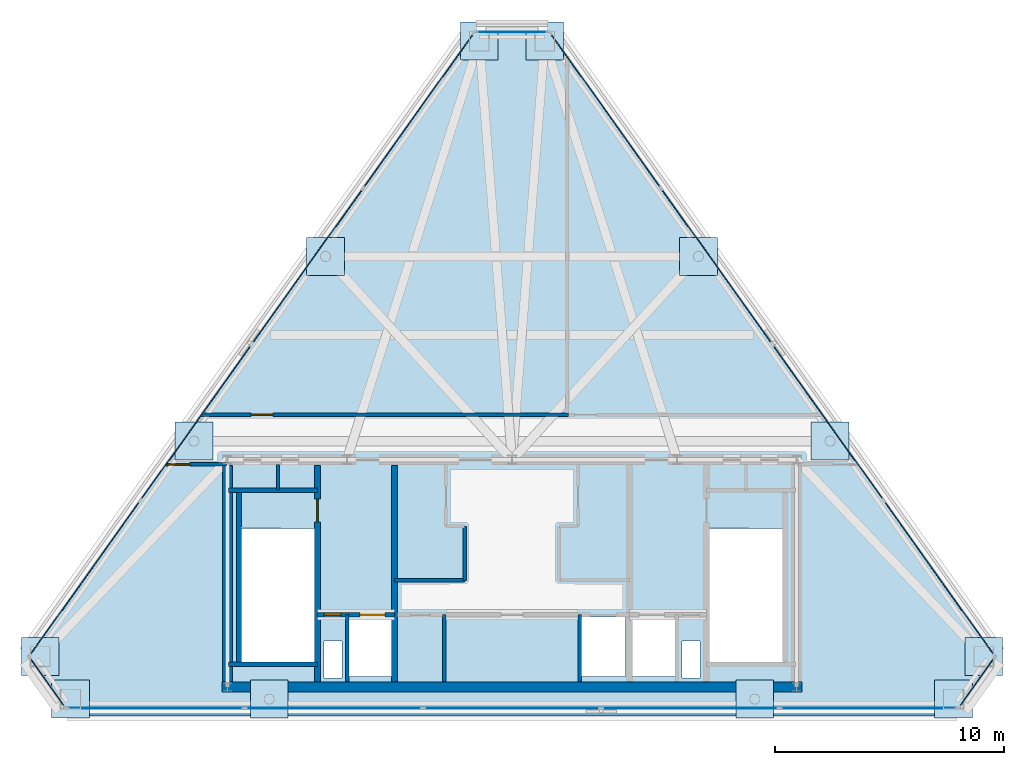
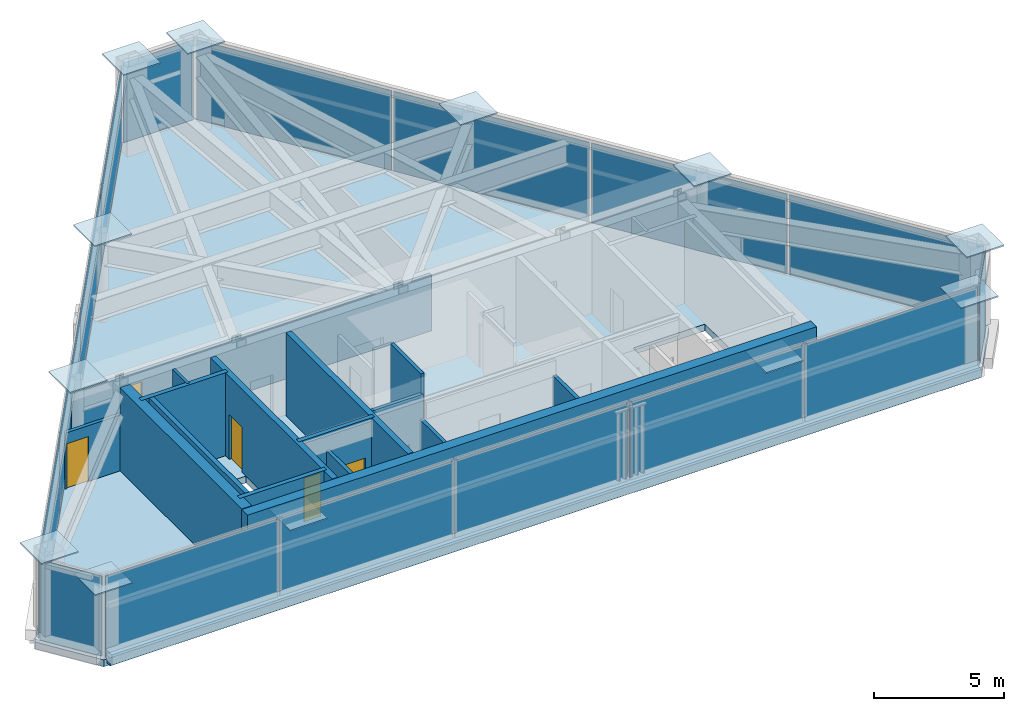
# One storey, part 4 of 7: 28 plates, 17 walls, 5 doors, 1 slab, 5 openings, 6 elements without a shape of their own.
"""IFC4 building model written with IfcOpenShell, lengths in metres."""

from ifc_helpers import new_model, si_unit, direction, frame, frame_2d, origin, origin_2d, place, context, subcontext, project, spatial, polyline, rectangle, outline, extrude, source, transform, mapped, material, layer, layer_set, type_object, type_shapes, element, fill, aggregate, save


model = new_model("IFC4")

# Units and contexts
model_context = context("Model", 3, precision=1e-05, world=origin(), true_north=direction((0.0, 1.0)))
body_context = subcontext(model_context, "Body", "Model", "MODEL_VIEW")
ifc_project = project(units=[si_unit("LENGTHUNIT", "METRE"), si_unit("AREAUNIT", "SQUARE_METRE"), si_unit("VOLUMEUNIT", "CUBIC_METRE"), si_unit("PLANEANGLEUNIT", "RADIAN"), si_unit("MASSUNIT", "GRAM", prefix="KILO")], contexts=[model_context])

# Site, building, storey
site_placement = place(None, origin())
site = spatial("IfcSite", under=ifc_project, at=site_placement, CompositionType="ELEMENT")
building_placement = place(site_placement, origin())
building = spatial("IfcBuilding", under=site, at=building_placement, Name="Talgorran Terracotta Tower", CompositionType="ELEMENT")
storey_placement = place(building_placement, frame((0.0, 0.0, 306.0)))
storey = spatial("IfcBuildingStorey", under=building, at=storey_placement, Name="L80", CompositionType="ELEMENT", Elevation=306.0)

# Plates
ifc_material_1 = material(Name="Steel Grade 350 (350L0)", Category="steel")
ifc_layer_1 = layer(ifc_material_1, 0.06005859375, Name="PL_NODE_MN01")
ifc_layer_set_1 = layer_set([ifc_layer_1], Name="Steel Grade 350 (350L0)")
plate_type_1 = type_object("IfcPlateType", Name="PL_NODE_MN01", PredefinedType="USERDEFINED", material=ifc_layer_set_1)
for number, where, z_axis, x_axis, name in (
    (1, (-20.566650390625, -12.774658203125, 4.18505859375), (0.0, 0.0, 1.0), (1.0, 0.0, 0.0), "L80 Mega-Column Cap Plate MC1"),
    (2, (-19.242919921875, -14.6298828125, 3.38134765625), (0.0, 0.0, 1.0), (1.0, 0.0, 0.0), "L80 Mega-Column Cap Plate MC2"),
    (3, (19.242919921875, -14.6298828125, 3.38134765625), (0.0, 0.0, 1.0), (1.0, 0.0, 0.0), "L80 Mega-Column Cap Plate MC3"),
    (4, (20.566650390625, -12.774658203125, 4.18505859375), (0.0, 0.0, 1.0), (1.0, 0.0, 0.0), "L80 Mega-Column Cap Plate MC4"),
    (5, (1.4267578125, 14.0546875, 4.18505859375), (0.0, 0.0, 1.0), (1.0, 0.0, 0.0), "L80 Mega-Column Cap Plate MC5"),
    (6, (-1.4267578125, 14.0546875, 4.18505859375), (0.0, 0.0, 1.0), (1.0, 0.0, 0.0), "L80 Mega-Column Cap Plate MC6"),
    (7, (-10.58349609375, -14.6298828125, 3.38134765625), (0.0, 0.0, 1.0), (1.0, 0.0, 0.0), "L80 Facet Column Cap Plate FC1"),
    (8, (10.58349609375, -14.6298828125, 3.38134765625), (0.0, 0.0, 1.0), (1.0, 0.0, 0.0), "L80 Facet Column Cap Plate FC2"),
    (9, (13.86767578125, -3.384521484375, 4.18505859375), (0.0, 0.0, 1.0), (1.0, 0.0, 0.0), "L80 Facet Column Cap Plate FC3"),
    (10, (8.125732421875, 4.664306640625, 4.18505859375), (0.0, 0.0, 1.0), (1.0, 0.0, 0.0), "L80 Facet Column Cap Plate FC4"),
    (11, (-8.125732421875, 4.664306640625, 4.18505859375), (0.0, 0.0, 1.0), (1.0, 0.0, 0.0), "L80 Facet Column Cap Plate FC5"),
    (12, (-13.86767578125, -3.384521484375, 4.18505859375), (0.0, 0.0, 1.0), (1.0, 0.0, 0.0), "L80 Facet Column Cap Plate FC6"),
):
    element("IfcPlate", number, at=place(storey_placement, frame(where, z_axis=z_axis, x_axis=x_axis)), inside=storey, type_object=plate_type_1, Name=name, ObjectType="NODE PLATE", PredefinedType="USERDEFINED", context=body_context, shape_type="SweptSolid", body=[
        extrude(rectangle(XDim=1.64990234375, YDim=1.64990234375, at=origin_2d()), origin(), (0.0, 0.0, 1.0), 0.06005859375),
    ])

# Slab
ifc_material_2 = material(Name="Concrete C50/60", Category="concrete")
ifc_layer_2 = layer(ifc_material_2, 0.320068359375, Name="SL_PLANT_320")
ifc_layer_set_2 = layer_set([ifc_layer_2], Name="Concrete C50/60")
slab_type = type_object("IfcSlabType", Name="SL_PLANT_320", PredefinedType="FLOOR", material=ifc_layer_set_2)
slab_placement = place(storey_placement, frame((0.0, 0.0, -0.320068359375)))
element("IfcSlab", 13, at=slab_placement, inside=storey, type_object=slab_type, Name="Storey L80 Structural Floor Slab", PredefinedType="FLOOR", context=body_context, shape_type="SweptSolid", body=[
    extrude(outline(polyline([(-21.205322265625, -12.774658203125), (-19.5107421875, -15.14990234375), (19.5107421875, -15.14990234375), (21.205322265625, -12.774658203125), (1.694580078125, 14.57470703125), (-1.694580078125, 14.57470703125), (-21.205322265625, -12.774658203125)]), holes=[polyline([(-11.800048828125, -7.199951171875), (-11.800048828125, -13.0), (-8.60009765625, -13.0), (-8.60009765625, -7.199951171875), (-11.800048828125, -7.199951171875)]), polyline([(8.60009765625, -7.199951171875), (8.60009765625, -13.0), (11.800048828125, -13.0), (11.800048828125, -7.199951171875), (8.60009765625, -7.199951171875)]), polyline([(-7.10009765625, -13.64990234375), (-5.199951171875, -13.64990234375), (-5.199951171875, -11.050048828125), (-7.10009765625, -11.050048828125), (-7.10009765625, -13.64990234375)]), polyline([(5.199951171875, -13.64990234375), (7.10009765625, -13.64990234375), (7.10009765625, -11.050048828125), (5.199951171875, -11.050048828125), (5.199951171875, -13.64990234375)]), polyline([(3.0, -13.64990234375), (4.949951171875, -13.64990234375), (4.949951171875, -11.050048828125), (3.0, -11.050048828125), (3.0, -13.64990234375)]), polyline([(-8.199951171875, -13.699951171875), (-7.39990234375, -13.699951171875), (-7.39990234375, -12.10009765625), (-8.199951171875, -12.10009765625), (-8.199951171875, -13.699951171875)]), polyline([(7.39990234375, -13.699951171875), (8.199951171875, -13.699951171875), (8.199951171875, -12.10009765625), (7.39990234375, -12.10009765625), (7.39990234375, -13.699951171875)])]), origin(), (0.0, 0.0, 1.0), 0.320068359375),
])

# Curtain wall, plate
ifc_material_3 = material(Name="Faceted Crown Terracotta Glass", Category="masonry")
ifc_layer_3 = layer(ifc_material_3, 0.22998046875, Name="CW_SYS6_CROWN")
ifc_layer_set_3 = layer_set([ifc_layer_3], Name="Faceted Crown Terracotta Glass")
curtain_wall_type = type_object("IfcCurtainWallType", Name="CW_SYS6_CROWN", PredefinedType="NOTDEFINED", material=ifc_layer_set_3)
curtain_wall_1_placement = place(storey_placement, origin())
curtain_wall_1 = element("IfcCurtainWall", 14, at=curtain_wall_1_placement, inside=storey, type_object=curtain_wall_type, Name="CW-L80-F0", PredefinedType="NOTDEFINED")
ifc_material_4 = material(Name="Low-Iron Structural Vision Glass", Category="glass")
ifc_layer_4 = layer(ifc_material_4, 0.035888671875, Name="PLT_LOWIRON_36")
ifc_layer_set_4 = layer_set([ifc_layer_4], Name="Low-Iron Structural Vision Glass")
plate_type_2 = type_object("IfcPlateType", Name="PLT_LOWIRON_36", PredefinedType="CURTAIN_PANEL", material=ifc_layer_set_4)
shared_shape_1 = source(origin(), body_context, "Body", "SweptSolid", [
    extrude(rectangle(XDim=2.610595703125, YDim=0.035888671875, at=origin_2d()), origin(), (0.0, 0.0, 1.0), 3.739990234375),
])
plate_1_placement = place(storey_placement, frame((-20.25341796875, -13.90234375, 0.080078125), z_axis=(0.0, 0.0, 1.0), x_axis=(0.580760085543, -0.814074765018, 0.0)))
plate_1 = element("IfcPlate", 15, at=plate_1_placement, type_object=plate_type_2, Name="CW-L80-0 panel 1.1", PredefinedType="CURTAIN_PANEL", context=body_context, shape_type="MappedRepresentation", body=[
    mapped(shared_shape_1, transform((0.0, 0.0, 0.0), scale=1.0)),
])
aggregate(curtain_wall_1, [plate_1])

curtain_wall_2_placement = place(storey_placement, origin())
curtain_wall_2 = element("IfcCurtainWall", 16, at=curtain_wall_2_placement, inside=storey, type_object=curtain_wall_type, Name="CW-L80-F2", PredefinedType="NOTDEFINED")
plate_2_placement = place(storey_placement, frame((20.25341796875, -13.90234375, 0.080078125), z_axis=(0.0, 0.0, 1.0), x_axis=(0.580760085543, 0.814074765018, 0.0)))
plate_2 = element("IfcPlate", 17, at=plate_2_placement, type_object=plate_type_2, Name="CW-L80-2 panel 1.1", PredefinedType="CURTAIN_PANEL", context=body_context, shape_type="MappedRepresentation", body=[
    mapped(shared_shape_1, transform((0.0, 0.0, 0.0), scale=1.0)),
])
aggregate(curtain_wall_2, [plate_2])

# Curtain wall, plates
curtain_wall_3_placement = place(storey_placement, origin())
curtain_wall_3 = element("IfcCurtainWall", 18, at=curtain_wall_3_placement, inside=storey, type_object=curtain_wall_type, Name="CW-L80-F1", PredefinedType="NOTDEFINED")
shared_shape_2 = source(origin(), body_context, "Body", "SweptSolid", [
    extrude(rectangle(XDim=7.65966796875, YDim=0.035888671875, at=origin_2d()), origin(), (0.0, 0.0, 1.0), 3.739990234375),
])
plate_3_placement = place(storey_placement, frame((-15.539306640625, -15.030029296875, 0.080078125), z_axis=(0.0, 0.0, 1.0), x_axis=(1.0, 0.0, 0.0)))
plate_3 = element("IfcPlate", 19, at=plate_3_placement, type_object=plate_type_2, Name="CW-L80-1 panel 1.1", PredefinedType="CURTAIN_PANEL", context=body_context, shape_type="MappedRepresentation", body=[
    mapped(shared_shape_2, transform((0.0, 0.0, 0.0), scale=1.0)),
])
plate_4_placement = place(storey_placement, frame((15.539306640625, -15.030029296875, 0.080078125), z_axis=(0.0, 0.0, 1.0), x_axis=(1.0, 0.0, 0.0)))
plate_4 = element("IfcPlate", 20, at=plate_4_placement, type_object=plate_type_2, Name="CW-L80-1 panel 5.1", PredefinedType="CURTAIN_PANEL", context=body_context, shape_type="MappedRepresentation", body=[
    mapped(shared_shape_2, transform((0.0, 0.0, 0.0), scale=1.0)),
])
shared_shape_3 = source(origin(), body_context, "Body", "SweptSolid", [
    extrude(rectangle(XDim=7.69970703125, YDim=0.035888671875, at=origin_2d()), origin(), (0.0, 0.0, 1.0), 3.739990234375),
])
plate_5_placement = place(storey_placement, frame((-7.779541015625, -15.030029296875, 0.080078125), z_axis=(0.0, 0.0, 1.0), x_axis=(1.0, 0.0, 0.0)))
plate_5 = element("IfcPlate", 21, at=plate_5_placement, type_object=plate_type_2, Name="CW-L80-1 panel 2.1", PredefinedType="CURTAIN_PANEL", context=body_context, shape_type="MappedRepresentation", body=[
    mapped(shared_shape_3, transform((0.0, 0.0, 0.0), scale=1.0)),
])
plate_6_placement = place(storey_placement, frame((0.0, -15.030029296875, 0.080078125), z_axis=(0.0, 0.0, 1.0), x_axis=(1.0, 0.0, 0.0)))
plate_6 = element("IfcPlate", 22, at=plate_6_placement, type_object=plate_type_2, Name="CW-L80-1 panel 3.1", PredefinedType="CURTAIN_PANEL", context=body_context, shape_type="MappedRepresentation", body=[
    mapped(shared_shape_3, transform((0.0, 0.0, 0.0), scale=1.0)),
])
plate_7_placement = place(storey_placement, frame((7.779541015625, -15.030029296875, 0.080078125), z_axis=(0.0, 0.0, 1.0), x_axis=(1.0, 0.0, 0.0)))
plate_7 = element("IfcPlate", 23, at=plate_7_placement, type_object=plate_type_2, Name="CW-L80-1 panel 4.1", PredefinedType="CURTAIN_PANEL", context=body_context, shape_type="MappedRepresentation", body=[
    mapped(shared_shape_3, transform((0.0, 0.0, 0.0), scale=1.0)),
])
aggregate(curtain_wall_3, [plate_3, plate_5, plate_6, plate_7, plate_4])

curtain_wall_4_placement = place(storey_placement, origin())
curtain_wall_4 = element("IfcCurtainWall", 24, at=curtain_wall_4_placement, inside=storey, type_object=curtain_wall_type, Name="CW-L80-F3", PredefinedType="NOTDEFINED")
shared_shape_4 = source(origin(), body_context, "Body", "SweptSolid", [
    extrude(rectangle(XDim=8.241943359375, YDim=0.035888671875, at=origin_2d()), origin(), (0.0, 0.0, 1.0), 3.739990234375),
])
plate_8_placement = place(storey_placement, frame((18.6181640625, -9.354736328125, 0.080078125), z_axis=(0.0, 0.0, 1.0), x_axis=(-0.580758445224, 0.814075935218, 0.0)))
plate_8 = element("IfcPlate", 25, at=plate_8_placement, type_object=plate_type_2, Name="CW-L80-3 panel 1.1", PredefinedType="CURTAIN_PANEL", context=body_context, shape_type="MappedRepresentation", body=[
    mapped(shared_shape_4, transform((0.0, 0.0, 0.0), scale=1.0)),
])
plate_9_placement = place(storey_placement, frame((4.072509765625, 11.03466796875, 0.080078125), z_axis=(0.0, 0.0, 1.0), x_axis=(-0.580758445224, 0.814075935218, 0.0)))
plate_9 = element("IfcPlate", 26, at=plate_9_placement, type_object=plate_type_2, Name="CW-L80-3 panel 4.1", PredefinedType="CURTAIN_PANEL", context=body_context, shape_type="MappedRepresentation", body=[
    mapped(shared_shape_4, transform((0.0, 0.0, 0.0), scale=1.0)),
])

curtain_wall_5_placement = place(storey_placement, origin())
curtain_wall_5 = element("IfcCurtainWall", 27, at=curtain_wall_5_placement, inside=storey, type_object=curtain_wall_type, Name="CW-L80-F5", PredefinedType="NOTDEFINED")
plate_10_placement = place(storey_placement, frame((-4.072509765625, 11.03466796875, 0.080078125), z_axis=(0.0, 0.0, 1.0), x_axis=(-0.580758445224, -0.814075935218, 0.0)))
plate_10 = element("IfcPlate", 28, at=plate_10_placement, type_object=plate_type_2, Name="CW-L80-5 panel 1.1", PredefinedType="CURTAIN_PANEL", context=body_context, shape_type="MappedRepresentation", body=[
    mapped(shared_shape_4, transform((0.0, 0.0, 0.0), scale=1.0)),
])
plate_11_placement = place(storey_placement, frame((-18.6181640625, -9.354736328125, 0.080078125), z_axis=(0.0, 0.0, 1.0), x_axis=(-0.580758445224, -0.814075935218, 0.0)))
plate_11 = element("IfcPlate", 29, at=plate_11_placement, type_object=plate_type_2, Name="CW-L80-5 panel 4.1", PredefinedType="CURTAIN_PANEL", context=body_context, shape_type="MappedRepresentation", body=[
    mapped(shared_shape_4, transform((0.0, 0.0, 0.0), scale=1.0)),
])

# Plate
shared_shape_5 = source(origin(), body_context, "Body", "SweptSolid", [
    extrude(rectangle(XDim=8.281982421875, YDim=0.035888671875, at=origin_2d()), origin(), (0.0, 0.0, 1.0), 3.739990234375),
])
plate_12_placement = place(storey_placement, frame((13.7734375, -2.563720703125, 0.080078125), z_axis=(0.0, 0.0, 1.0), x_axis=(-0.580758445224, 0.814075935218, 0.0)))
plate_12 = element("IfcPlate", 30, at=plate_12_placement, type_object=plate_type_2, Name="CW-L80-3 panel 2.1", PredefinedType="CURTAIN_PANEL", context=body_context, shape_type="MappedRepresentation", body=[
    mapped(shared_shape_5, transform((0.0, 0.0, 0.0), scale=1.0)),
])

plate_13_placement = place(storey_placement, frame((8.917236328125, 4.24365234375, 0.080078125), z_axis=(0.0, 0.0, 1.0), x_axis=(-0.580758445224, 0.814075935218, 0.0)))
plate_13 = element("IfcPlate", 31, at=plate_13_placement, type_object=plate_type_2, Name="CW-L80-3 panel 3.1", PredefinedType="CURTAIN_PANEL", context=body_context, shape_type="MappedRepresentation", body=[
    mapped(shared_shape_5, transform((0.0, 0.0, 0.0), scale=1.0)),
])

aggregate(curtain_wall_4, [plate_8, plate_12, plate_13, plate_9])

plate_14_placement = place(storey_placement, frame((-8.917236328125, 4.24365234375, 0.080078125), z_axis=(0.0, 0.0, 1.0), x_axis=(-0.580758445224, -0.814075935218, 0.0)))
plate_14 = element("IfcPlate", 32, at=plate_14_placement, type_object=plate_type_2, Name="CW-L80-5 panel 2.1", PredefinedType="CURTAIN_PANEL", context=body_context, shape_type="MappedRepresentation", body=[
    mapped(shared_shape_5, transform((0.0, 0.0, 0.0), scale=1.0)),
])

plate_15_placement = place(storey_placement, frame((-13.7734375, -2.563720703125, 0.080078125), z_axis=(0.0, 0.0, 1.0), x_axis=(-0.580758445224, -0.814075935218, 0.0)))
plate_15 = element("IfcPlate", 33, at=plate_15_placement, type_object=plate_type_2, Name="CW-L80-5 panel 3.1", PredefinedType="CURTAIN_PANEL", context=body_context, shape_type="MappedRepresentation", body=[
    mapped(shared_shape_5, transform((0.0, 0.0, 0.0), scale=1.0)),
])

aggregate(curtain_wall_5, [plate_10, plate_14, plate_15, plate_11])

# Curtain wall, plate
curtain_wall_6_placement = place(storey_placement, origin())
curtain_wall_6 = element("IfcCurtainWall", 34, at=curtain_wall_6_placement, inside=storey, type_object=curtain_wall_type, Name="CW-L80-F4", PredefinedType="NOTDEFINED")
shared_shape_6 = source(origin(), body_context, "Body", "SweptSolid", [
    extrude(rectangle(XDim=3.105712890625, YDim=0.035888671875, at=origin_2d()), origin(), (0.0, 0.0, 1.0), 3.739990234375),
])
type_shapes(plate_type_2, [shared_shape_1, shared_shape_2, shared_shape_3, shared_shape_4, shared_shape_5, shared_shape_6])
plate_16_placement = place(storey_placement, frame((0.0, 14.45458984375, 0.080078125), z_axis=(0.0, 0.0, 1.0), x_axis=(-1.0, 0.0, 0.0)))
plate_16 = element("IfcPlate", 35, at=plate_16_placement, type_object=plate_type_2, Name="CW-L80-4 panel 1.1", PredefinedType="CURTAIN_PANEL", context=body_context, shape_type="MappedRepresentation", body=[
    mapped(shared_shape_6, transform((0.0, 0.0, 0.0), scale=1.0)),
])
aggregate(curtain_wall_6, [plate_16])

# Walls
ifc_layer_5 = layer(ifc_material_2, 0.199951171875, Name="WT_CORE_200")
ifc_layer_set_5 = layer_set([ifc_layer_5], Name="Concrete C50/60")
wall_type_1 = type_object("IfcWallType", Name="WT_CORE_200", PredefinedType="SOLIDWALL", material=ifc_layer_set_5)
for number, where, z_axis, x_axis, name in (
    (36, (-12.35009765625, -5.52001953125, 0.0), (0.0, 0.0, 1.0), (1.0, 0.0, 0.0), "WL-L80-CW-ST1-N"),
    (37, (-12.35009765625, -13.10009765625, 0.0), (0.0, 0.0, 1.0), (1.0, 0.0, 0.0), "WL-L80-CW-ST1-S"),
):
    element("IfcWall", number, at=place(storey_placement, frame(where, z_axis=z_axis, x_axis=x_axis)), inside=storey, type_object=wall_type_1, Name=name, PredefinedType="SOLIDWALL", context=body_context, shape_type="SweptSolid", body=[
        extrude(rectangle(XDim=3.8701171875, YDim=0.199951171875, at=frame_2d((1.93505859375, 0.0))), origin(), (0.0, 0.0, 1.0), 3.89990234375),
    ])
wall_1_placement = place(storey_placement, frame((-11.89990234375, -13.10009765625, 0.0), z_axis=(0.0, 0.0, 1.0), x_axis=(0.0, 1.0, 0.0)))
element("IfcWall", 38, at=wall_1_placement, inside=storey, type_object=wall_type_1, Name="WL-L80-CW-ST1-W", PredefinedType="SOLIDWALL", context=body_context, shape_type="SweptSolid", body=[
    extrude(rectangle(XDim=7.580078125, YDim=0.199951171875, at=frame_2d((3.7900390625, 0.0))), origin(), (0.0, 0.0, 1.0), 3.89990234375),
])

# Wall, openings, doors
wall_2_placement = place(storey_placement, frame((-8.47998046875, -10.949951171875, 0.0), z_axis=(0.0, 0.0, 1.0), x_axis=(1.0, 0.0, 0.0)))
wall_2 = element("IfcWall", 39, at=wall_2_placement, inside=storey, type_object=wall_type_1, Name="WL-L80-CW-H-SBW", PredefinedType="SOLIDWALL", context=body_context, shape_type="SweptSolid", body=[
    extrude(rectangle(XDim=3.35986328125, YDim=0.199951171875, at=frame_2d((1.679931640625, 0.0))), origin(), (0.0, 0.0, 1.0), 3.89990234375),
])
opening_1_placement = place(wall_2_placement, frame((0.280029296875, 0.0, 0.0)))
opening_1 = element("IfcOpeningElement", 40, at=opening_1_placement, cuts=wall_2, Name="Opening DR-RSW", PredefinedType="OPENING", context=body_context, shape_type="SweptSolid", body=[
    extrude(rectangle(XDim=0.756, YDim=2.054048828125, at=frame_2d((0.375, 1.027099609375))), frame((0.0, 0.10986328125, 0.0), z_axis=(0.0, -1.0, 0.0), x_axis=(1.0, 0.0, 0.0)), (0.0, 0.0, 1.0), 0.219970703125),
])
opening_2_placement = place(wall_2_placement, frame((1.85009765625, 0.0, 0.0)))
opening_2 = element("IfcOpeningElement", 41, at=opening_2_placement, cuts=wall_2, Name="Opening LD-FFL1", PredefinedType="OPENING", context=body_context, shape_type="SweptSolid", body=[
    extrude(rectangle(XDim=1.10609765625, YDim=2.10409765625, at=frame_2d((0.550048828125, 1.052001953125))), frame((0.0, 0.10986328125, 0.0), z_axis=(0.0, -1.0, 0.0), x_axis=(1.0, 0.0, 0.0)), (0.0, 0.0, 1.0), 0.219970703125),
])
ifc_material_5 = material(Name="Brushed Stainless Steel Grade 304", Category="steel")
door_type_1 = type_object("IfcDoorType", Name="DT_LIFT_LD1100", OperationType="DOUBLE_DOOR_SLIDING", PredefinedType="DOOR", material=ifc_material_5)
door_1_placement = place(opening_2_placement, origin())
door_1 = element("IfcDoor", 42, at=door_1_placement, inside=storey, type_object=door_type_1, Name="L80 Lift Landing Door LD-FFL1", OperationType="DOUBLE_DOOR_SLIDING", OverallHeight=2.10009765625, OverallWidth=1.10009765625, PredefinedType="DOOR", context=body_context, shape_type="SweptSolid", body=[
    extrude(rectangle(XDim=1.10009765625, YDim=2.10009765625, at=frame_2d((0.550048828125, 1.050048828125))), frame((0.0, 0.02490234375, 0.0), z_axis=(0.0, -1.0, 0.0), x_axis=(1.0, 0.0, 0.0)), (0.0, 0.0, 1.0), 0.050048828125),
])
fill(opening_2, door_1)
ifc_material_6 = material(Name="Fire-Rated Pressed Steel", Category="steel")
door_type_2 = type_object("IfcDoorType", Name="DT_RISER_750", OperationType="NOTDEFINED", PredefinedType="DOOR", material=ifc_material_6)
door_2_placement = place(opening_1_placement, origin())
door_2 = element("IfcDoor", 43, at=door_2_placement, inside=storey, type_object=door_type_2, Name="DR-RSW", OperationType="SINGLE_SWING_LEFT", OverallHeight=2.050048828125, OverallWidth=0.75, PredefinedType="DOOR", context=body_context, shape_type="SweptSolid", body=[
    extrude(rectangle(XDim=0.75, YDim=2.050048828125, at=frame_2d((0.375, 1.02490234375))), frame((0.0, 0.02490234375, 0.0), z_axis=(0.0, -1.0, 0.0), x_axis=(1.0, 0.0, 0.0)), (0.0, 0.0, 1.0), 0.050048828125),
])
fill(opening_1, door_2)

# Wall, opening, door
ifc_layer_6 = layer(ifc_material_2, 0.25, Name="WT_CORE_250")
ifc_layer_set_6 = layer_set([ifc_layer_6], Name="Concrete C50/60")
wall_type_2 = type_object("IfcWallType", Name="WT_CORE_250", PredefinedType="SHEAR", material=ifc_layer_set_6)
wall_3_placement = place(storey_placement, frame((-8.47998046875, -13.85009765625, 0.0), z_axis=(0.0, 0.0, 1.0), x_axis=(0.0, 1.0, 0.0)))
wall_3 = element("IfcWall", 44, at=wall_3_placement, inside=storey, type_object=wall_type_2, Name="WL-L80-CW-V-W1", PredefinedType="SHEAR", context=body_context, shape_type="SweptSolid", body=[
    extrude(rectangle(XDim=9.400146484375, YDim=0.25, at=frame_2d((4.7001953125, 0.0))), origin(), (0.0, 0.0, 1.0), 3.89990234375),
])
opening_3_placement = place(wall_3_placement, frame((6.949951171875, 0.0, 0.0)))
opening_3 = element("IfcOpeningElement", 45, at=opening_3_placement, cuts=wall_3, Name="Opening DR-ST01", PredefinedType="OPENING", context=body_context, shape_type="SweptSolid", body=[
    extrude(rectangle(XDim=1.006, YDim=2.10409765625, at=frame_2d((0.5, 1.052001953125))), frame((0.0, 0.135009765625, 0.0), z_axis=(0.0, -1.0, 0.0), x_axis=(1.0, 0.0, 0.0)), (0.0, 0.0, 1.0), 0.27001953125),
])
door_type_3 = type_object("IfcDoorType", Name="DT_FIRE_1000", OperationType="NOTDEFINED", PredefinedType="DOOR", material=ifc_material_6)
door_3_placement = place(opening_3_placement, origin())
door_3 = element("IfcDoor", 46, at=door_3_placement, inside=storey, type_object=door_type_3, Name="DR-ST01", OperationType="SINGLE_SWING_LEFT", OverallHeight=2.10009765625, OverallWidth=1.0, PredefinedType="DOOR", context=body_context, shape_type="SweptSolid", body=[
    extrude(rectangle(XDim=1.0, YDim=2.10009765625, at=frame_2d((0.5, 1.050048828125))), frame((0.0, 0.02490234375, 0.0), z_axis=(0.0, -1.0, 0.0), x_axis=(1.0, 0.0, 0.0)), (0.0, 0.0, 1.0), 0.050048828125),
])
fill(opening_3, door_3)

# Walls
wall_4_placement = place(storey_placement, frame((-5.1201171875, -13.85009765625, 0.0), z_axis=(0.0, 0.0, 1.0), x_axis=(0.0, 1.0, 0.0)))
element("IfcWall", 47, at=wall_4_placement, inside=storey, type_object=wall_type_2, Name="WL-L80-CW-V-W2", PredefinedType="SHEAR", context=body_context, shape_type="SweptSolid", body=[
    extrude(rectangle(XDim=9.400146484375, YDim=0.25, at=frame_2d((4.7001953125, 0.0))), origin(), (0.0, 0.0, 1.0), 3.89990234375),
])
ifc_material_7 = material(Name="Concrete C65/80", Category="concrete")
ifc_layer_7 = layer(ifc_material_7, 0.449951171875, Name="WT_CORE_EXT")
ifc_layer_set_7 = layer_set([ifc_layer_7], Name="Concrete C65/80")
wall_type_3 = type_object("IfcWallType", Name="WT_CORE_EXT", PredefinedType="SHEAR", material=ifc_layer_set_7)
wall_5_placement = place(storey_placement, frame((-12.64990234375, -14.10009765625, 0.0), z_axis=(0.0, 0.0, 1.0), x_axis=(1.0, 0.0, 0.0)))
element("IfcWall", 48, at=wall_5_placement, inside=storey, type_object=wall_type_3, Name="WL-L80-CW-OUT-S", PredefinedType="SHEAR", context=body_context, shape_type="SweptSolid", body=[
    extrude(rectangle(XDim=25.2998046875, YDim=0.449951171875, at=frame_2d((12.64990234375, 0.0))), origin(), (0.0, 0.0, 1.0), 3.89990234375),
])
wall_6_placement = place(storey_placement, frame((-12.39990234375, -13.85009765625, 0.0), z_axis=(0.0, 0.0, 1.0), x_axis=(0.0, 1.0, 0.0)))
element("IfcWall", 49, at=wall_6_placement, inside=storey, type_object=wall_type_3, Name="WL-L80-CW-OUT-W", PredefinedType="SHEAR", context=body_context, shape_type="SweptSolid", body=[
    extrude(rectangle(XDim=9.400146484375, YDim=0.449951171875, at=frame_2d((4.7001953125, 0.0))), origin(), (0.0, 0.0, 1.0), 3.89990234375),
])
ifc_material_8 = material(Name="Fire-Rated Steel Stud Plasterboard", Category="steel")
ifc_layer_8 = layer(ifc_material_8, 0.14990234375, Name="WT_FIRE_150")
ifc_layer_set_8 = layer_set([ifc_layer_8], Name="Fire-Rated Steel Stud Plasterboard")
wall_type_4 = type_object("IfcWallType", Name="WT_FIRE_150", PredefinedType="PARTITIONING", material=ifc_layer_set_8)
wall_7_placement = place(storey_placement, frame((-5.1201171875, -9.449951171875, 0.0), z_axis=(0.0, 0.0, 1.0), x_axis=(1.0, 0.0, 0.0)))
element("IfcWall", 50, at=wall_7_placement, inside=storey, type_object=wall_type_4, Name="WL-L80-CW-H-W4N", PredefinedType="PARTITIONING", context=body_context, shape_type="SweptSolid", body=[
    extrude(rectangle(XDim=3.06005859375, YDim=0.14990234375, at=frame_2d((1.530029296875, 0.0))), origin(), (0.0, 0.0, 1.0), 2.9765625),
])
wall_8_placement = place(storey_placement, frame((-2.06005859375, -9.449951171875, 0.0), z_axis=(0.0, 0.0, 1.0), x_axis=(0.0, 1.0, 0.0)))
element("IfcWall", 51, at=wall_8_placement, inside=storey, type_object=wall_type_4, Name="WL-L80-CW-V-W3S2", PredefinedType="PARTITIONING", context=body_context, shape_type="SweptSolid", body=[
    extrude(rectangle(XDim=2.349853515625, YDim=0.14990234375, at=frame_2d((1.1748046875, 0.0))), origin(), (0.0, 0.0, 1.0), 3.89990234375),
])

# Wall, opening, door
wall_9_placement = place(storey_placement, frame((-13.542724609375, -2.239990234375, 0.0), z_axis=(0.0, 0.0, 1.0), x_axis=(1.0, 0.0, 0.0)))
wall_9 = element("IfcWall", 52, at=wall_9_placement, inside=storey, type_object=wall_type_4, Name="WL-L80-W-L80-R03", PredefinedType="PARTITIONING", context=body_context, shape_type="SweptSolid", body=[
    extrude(rectangle(XDim=16.002685546875, YDim=0.14990234375, at=frame_2d((8.00146484375, 0.0))), origin(), (0.0, 0.0, 1.0), 2.625),
])
opening_4_placement = place(wall_9_placement, frame((2.178955078125, 0.0, 0.0)))
opening_4 = element("IfcOpeningElement", 53, at=opening_4_placement, cuts=wall_9, Name="Opening DR-L80-R03", PredefinedType="OPENING", context=body_context, shape_type="SweptSolid", body=[
    extrude(rectangle(XDim=0.955951171875, YDim=2.10409765625, at=frame_2d((0.47509765625, 1.052001953125))), frame((0.0, 0.0849609375, 0.0), z_axis=(0.0, -1.0, 0.0), x_axis=(1.0, 0.0, 0.0)), (0.0, 0.0, 1.0), 0.169921875),
])
ifc_material_9 = material(Name="Fire-Rated Timber Core", Category="wood")
door_type_4 = type_object("IfcDoorType", Name="DT_FIRE_950", OperationType="NOTDEFINED", PredefinedType="DOOR", material=ifc_material_9)
door_4_placement = place(opening_4_placement, origin())
door_4 = element("IfcDoor", 54, at=door_4_placement, inside=storey, type_object=door_type_4, Name="DR-L80-R03", OperationType="SINGLE_SWING_LEFT", OverallHeight=2.10009765625, OverallWidth=0.949951171875, PredefinedType="DOOR", context=body_context, shape_type="SweptSolid", body=[
    extrude(rectangle(XDim=0.949951171875, YDim=2.10009765625, at=frame_2d((0.47509765625, 1.050048828125))), frame((0.0, 0.02490234375, 0.0), z_axis=(0.0, -1.0, 0.0), x_axis=(1.0, 0.0, 0.0)), (0.0, 0.0, 1.0), 0.050048828125),
])
fill(opening_4, door_4)

wall_10_placement = place(storey_placement, frame((-15.08349609375, -4.39990234375, 0.0), z_axis=(0.0, 0.0, 1.0), x_axis=(1.0, 0.0, 0.0)))
wall_10 = element("IfcWall", 55, at=wall_10_placement, inside=storey, type_object=wall_type_4, Name="WL-L80-W-L80-R01", PredefinedType="PARTITIONING", context=body_context, shape_type="SweptSolid", body=[
    extrude(rectangle(XDim=2.6435546875, YDim=0.14990234375, at=frame_2d((1.32177734375, 0.0))), origin(), (0.0, 0.0, 1.0), 2.625),
])
opening_5_placement = place(wall_10_placement, frame((0.10009765625, 0.0, 0.0)))
opening_5 = element("IfcOpeningElement", 56, at=opening_5_placement, cuts=wall_10, Name="Opening DR-L80-R01", PredefinedType="OPENING", context=body_context, shape_type="SweptSolid", body=[
    extrude(rectangle(XDim=0.955951171875, YDim=2.10409765625, at=frame_2d((0.47509765625, 1.052001953125))), frame((0.0, 0.0849609375, 0.0), z_axis=(0.0, -1.0, 0.0), x_axis=(1.0, 0.0, 0.0)), (0.0, 0.0, 1.0), 0.169921875),
])
door_5_placement = place(opening_5_placement, origin())
door_5 = element("IfcDoor", 57, at=door_5_placement, inside=storey, type_object=door_type_4, Name="DR-L80-R01", OperationType="SINGLE_SWING_LEFT", OverallHeight=2.10009765625, OverallWidth=0.949951171875, PredefinedType="DOOR", context=body_context, shape_type="SweptSolid", body=[
    extrude(rectangle(XDim=0.949951171875, YDim=2.10009765625, at=frame_2d((0.47509765625, 1.050048828125))), frame((0.0, 0.02490234375, 0.0), z_axis=(0.0, -1.0, 0.0), x_axis=(1.0, 0.0, 0.0)), (0.0, 0.0, 1.0), 0.050048828125),
])
fill(opening_5, door_5)

# Walls
ifc_material_10 = material(Name="Concrete C40/50", Category="concrete")
ifc_layer_9 = layer(ifc_material_10, 0.219970703125, Name="WT_PARAPET_RC")
ifc_layer_set_9 = layer_set([ifc_layer_9], Name="Concrete C40/50")
wall_type_5 = type_object("IfcWallType", Name="WT_PARAPET_RC", PredefinedType="PARAPET", material=ifc_layer_set_9)
wall_11_placement = place(storey_placement, frame((-19.368896484375, -15.18994140625, -0.199951171875), z_axis=(0.0, 0.0, 1.0), x_axis=(1.0, 0.0, 0.0)))
element("IfcWall", 58, at=wall_11_placement, inside=storey, type_object=wall_type_5, Name="L80 Striped Portal Precast Cornice F1", PredefinedType="PARAPET", context=body_context, shape_type="SweptSolid", body=[
    extrude(rectangle(XDim=38.73779296875, YDim=0.360107421875, at=frame_2d((19.368896484375, 0.0))), origin(), (0.0, 0.0, 1.0), 0.3798828125),
])
ifc_material_11 = material(Name="Insulated Steel Stud Plasterboard", Category="steel")
ifc_layer_10 = layer(ifc_material_11, 0.1201171875, Name="WT_PART_120")
ifc_layer_set_10 = layer_set([ifc_layer_10], Name="Insulated Steel Stud Plasterboard")
wall_type_6 = type_object("IfcWallType", Name="WT_PART_120", PredefinedType="PARTITIONING", material=ifc_layer_set_10)
wall_12_placement = place(storey_placement, frame((-10.199951171875, -5.52001953125, 0.0), z_axis=(0.0, 0.0, 1.0), x_axis=(0.0, 1.0, 0.0)))
element("IfcWall", 59, at=wall_12_placement, inside=storey, type_object=wall_type_6, Name="WL-L80-CW-CSW-DIV", PredefinedType="PARTITIONING", context=body_context, shape_type="SweptSolid", body=[
    extrude(rectangle(XDim=1.1201171875, YDim=0.1201171875, at=frame_2d((0.56005859375, 0.0))), origin(), (0.0, 0.0, 1.0), 3.89990234375),
])
ifc_material_12 = material(Name="Fire-Rated Shaftwall")
ifc_layer_11 = layer(ifc_material_12, 0.159912109375, Name="WT_PART_150")
ifc_layer_set_11 = layer_set([ifc_layer_11], Name="Fire-Rated Shaftwall")
wall_type_7 = type_object("IfcWallType", Name="WT_PART_150", PredefinedType="PARTITIONING", material=ifc_layer_set_11)
wall_13_placement = place(storey_placement, frame((-7.179931640625, -13.85009765625, 0.0), z_axis=(0.0, 0.0, 1.0), x_axis=(0.0, 1.0, 0.0)))
element("IfcWall", 60, at=wall_13_placement, inside=storey, type_object=wall_type_7, Name="WL-L80-CW-RSW", PredefinedType="PARTITIONING", context=body_context, shape_type="SweptSolid", body=[
    extrude(rectangle(XDim=2.900146484375, YDim=0.159912109375, at=frame_2d((1.4501953125, 0.0))), origin(), (0.0, 0.0, 1.0), 3.06494140625),
])
for number, where, z_axis, x_axis, name in (
    (61, (-2.949951171875, -13.85009765625, 0.0), (0.0, 0.0, 1.0), (0.0, 1.0, 0.0), "WL-L80-CW-OB-E"),
    (62, (2.949951171875, -13.85009765625, 0.0), (0.0, 0.0, 1.0), (0.0, 1.0, 0.0), "WL-L80-CW-SV-W"),
):
    element("IfcWall", number, at=place(storey_placement, frame(where, z_axis=z_axis, x_axis=x_axis)), inside=storey, type_object=wall_type_7, Name=name, PredefinedType="PARTITIONING", context=body_context, shape_type="SweptSolid", body=[
        extrude(rectangle(XDim=2.900146484375, YDim=0.159912109375, at=frame_2d((1.4501953125, 0.0))), origin(), (0.0, 0.0, 1.0), 2.9765625),
    ])

save(model, "model.ifc")
